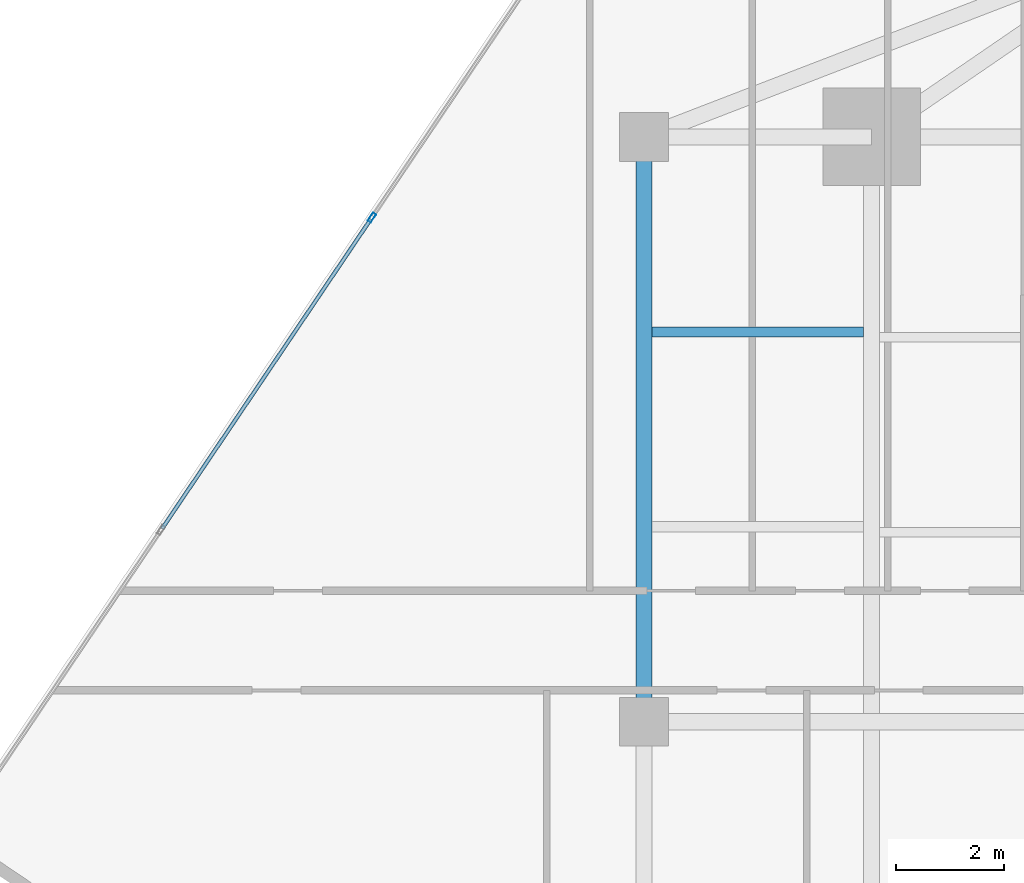
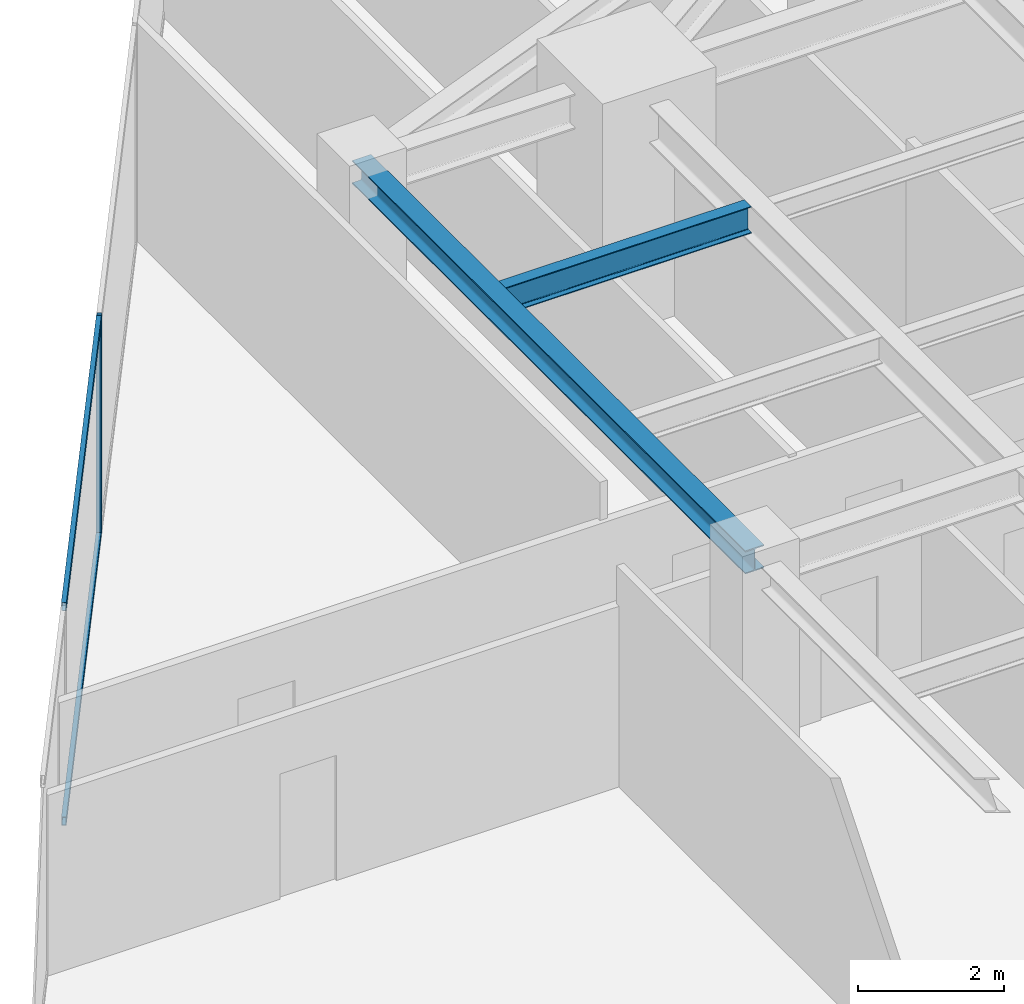
# One storey, part 13 of 27: 3 members, 2 beams, 1 element without a shape of its own.
"""IFC4 building model written with IfcOpenShell, lengths in metres."""

from ifc_helpers import new_model, si_unit, direction, frame, origin, origin_2d, place, context, subcontext, project, spatial, hollow_rectangle, i_section, extrude, source, transform, mapped, material, material_profile, profile_set, type_object, type_shapes, element, aggregate, save


model = new_model("IFC4")

# Units and contexts
model_context = context("Model", 3, precision=1e-05, world=origin(), true_north=direction((0.0, 1.0)))
body_context = subcontext(model_context, "Body", "Model", "MODEL_VIEW")
ifc_project = project(units=[si_unit("LENGTHUNIT", "METRE"), si_unit("AREAUNIT", "SQUARE_METRE"), si_unit("VOLUMEUNIT", "CUBIC_METRE"), si_unit("PLANEANGLEUNIT", "RADIAN"), si_unit("MASSUNIT", "GRAM", prefix="KILO")], contexts=[model_context])

# Site, building, storey
site_placement = place(None, origin())
site = spatial("IfcSite", under=ifc_project, at=site_placement, CompositionType="ELEMENT")
building_placement = place(site_placement, origin())
building = spatial("IfcBuilding", under=site, at=building_placement, Name="Krantzveldt Concourse Tower", CompositionType="ELEMENT")
storey_placement = place(building_placement, frame((0.0, 0.0, 189.64990234375)))
storey = spatial("IfcBuildingStorey", under=building, at=storey_placement, Name="L46", CompositionType="ELEMENT", Elevation=189.64990234375)

# Beams
ifc_material_1 = material(Name="Steel S355JR", Category="steel")
ifc_material_profile_1 = material_profile(ifc_material_1, i_section(OverallWidth=0.300048828125, OverallDepth=0.389892578125, WebThickness=0.010986328125, FlangeThickness=0.01904296875, FilletRadius=0.027099609375, at=origin_2d()), Name="Steel S355JR", Category="steel")
ifc_profile_set_1 = profile_set([ifc_material_profile_1], Name="Steel S355JR - HEA 400")
beam_type_1 = type_object("IfcBeamType", Name="BM-SP-HEA400", PredefinedType="SPANDREL", material=ifc_profile_set_1)
shared_shape_1 = source(origin(), body_context, "Body", "SweptSolid", [
    extrude(i_section(OverallWidth=0.300048828125, OverallDepth=0.389892578125, WebThickness=0.010986328125, FlangeThickness=0.01904296875, FilletRadius=0.027099609375, at=origin_2d()), origin(), (0.0, 0.0, 1.0), 10.800048828125),
])
type_shapes(beam_type_1, [shared_shape_1])
beam_1_placement = place(storey_placement, frame((21.0, 26.699951171875, 3.47509765625), z_axis=(0.0, 1.0, 0.0), x_axis=(-1.0, 0.0, 0.0)))
element("IfcBeam", 1, at=beam_1_placement, inside=storey, type_object=beam_type_1, Name="L46 Tower Girder SP-R02", PredefinedType="SPANDREL", context=body_context, shape_type="MappedRepresentation", body=[
    mapped(shared_shape_1, transform((0.0, 0.0, 0.0), x_axis=(1.0, 0.0, 0.0), y_axis=(0.0, 1.0, 0.0), z_axis=(0.0, 0.0, 1.0), scale=1.0)),
])
ifc_material_profile_2 = material_profile(ifc_material_1, i_section(OverallWidth=0.18994140625, OverallDepth=0.449951171875, WebThickness=0.009521484375, FlangeThickness=0.0146484375, FilletRadius=0.02099609375, at=origin_2d()), Name="Steel S355JR", Category="steel")
ifc_profile_set_2 = profile_set([ifc_material_profile_2], Name="Steel S355JR - IPE 450")
beam_type_2 = type_object("IfcBeamType", Name="BM-J-IPE450", PredefinedType="JOIST", material=ifc_profile_set_2)
shared_shape_2 = source(origin(), body_context, "Body", "SweptSolid", [
    extrude(i_section(OverallWidth=0.18994140625, OverallDepth=0.449951171875, WebThickness=0.009521484375, FlangeThickness=0.0146484375, FilletRadius=0.02099609375, at=origin_2d()), origin(), (0.0, 0.0, 1.0), 3.900146484375),
])
type_shapes(beam_type_2, [shared_shape_2])
beam_2_placement = place(storey_placement, frame((21.14990234375, 33.89990234375, 3.445068359375), z_axis=(1.0, 0.0, 0.0), x_axis=(0.0, 1.0, 0.0)))
element("IfcBeam", 2, at=beam_2_placement, inside=storey, type_object=beam_type_2, Name="L46 Secondary Floor Joist JW-4", PredefinedType="JOIST", context=body_context, shape_type="MappedRepresentation", body=[
    mapped(shared_shape_2, transform((0.0, 0.0, 0.0), x_axis=(1.0, 0.0, 0.0), y_axis=(0.0, 1.0, 0.0), z_axis=(0.0, 0.0, 1.0), scale=1.0)),
])

# Curtain wall, members
ifc_material_2 = material(Name="Anodised aluminium 6063-T6", Category="aluminium")
curtain_wall_type = type_object("IfcCurtainWallType", Name="CW3", PredefinedType="USERDEFINED", material=ifc_material_2)
curtain_wall_placement = place(storey_placement, origin())
curtain_wall = element("IfcCurtainWall", 3, at=curtain_wall_placement, inside=storey, type_object=curtain_wall_type, Name="CW-L46-F01", ObjectType="UNITISED CURTAIN WALL", PredefinedType="USERDEFINED")
ifc_material_profile_3 = material_profile(ifc_material_2, hollow_rectangle(XDim=0.070068359375, YDim=0.179931640625, WallThickness=0.0048828125, at=origin_2d()), Name="Anodised aluminium 6063-T6", Category="aluminium")
ifc_profile_set_3 = profile_set([ifc_material_profile_3], Name="Anodised aluminium 6063-T6 - ALU-MULL 180x70x5")
member_type_1 = type_object("IfcMemberType", Name="CW-MUL-180", PredefinedType="MULLION", material=ifc_profile_set_3)
shared_shape_3 = source(origin(), body_context, "Body", "SweptSolid", [
    extrude(hollow_rectangle(XDim=0.070068359375, YDim=0.179931640625, WallThickness=0.0048828125, at=origin_2d()), origin(), (0.0, 0.0, 1.0), 3.670166015625),
])
type_shapes(member_type_1, [shared_shape_3])
member_1_placement = place(storey_placement, frame((15.97265625, 36.010986328125, 0.0), z_axis=(0.0, 0.0, 1.0), x_axis=(0.829037635301, -0.559192810447, 0.0)))
member_1 = element("IfcMember", 4, at=member_1_placement, type_object=member_type_1, Name="CW-Z34 mullion 4", PredefinedType="MULLION", context=body_context, shape_type="MappedRepresentation", body=[
    mapped(shared_shape_3, transform((0.0, 0.0, 0.0), x_axis=(1.0, 0.0, 0.0), y_axis=(0.0, 1.0, 0.0), z_axis=(0.0, 0.0, 1.0), scale=1.0)),
])
ifc_material_profile_4 = material_profile(ifc_material_2, hollow_rectangle(XDim=0.070068359375, YDim=0.139892578125, WallThickness=0.0048828125, at=origin_2d()), Name="Anodised aluminium 6063-T6", Category="aluminium")
ifc_profile_set_4 = profile_set([ifc_material_profile_4], Name="Anodised aluminium 6063-T6 - ALU-TRAN 140x70x5")
member_type_2 = type_object("IfcMemberType", Name="CW-TRN-150", PredefinedType="USERDEFINED", material=ifc_profile_set_4)
shared_shape_4 = source(origin(), body_context, "Body", "SweptSolid", [
    extrude(hollow_rectangle(XDim=0.070068359375, YDim=0.139892578125, WallThickness=0.0048828125, at=origin_2d()), origin(), (0.0, 0.0, 1.0), 6.89013671875),
])
type_shapes(member_type_2, [shared_shape_4])
member_2_placement = place(storey_placement, frame((15.953125, 35.98193359375, 0.03515625), z_axis=(-0.559181316648, -0.829045387848, 0.0), x_axis=(0.829045387848, -0.559181316648, 0.0)))
member_2 = element("IfcMember", 5, at=member_2_placement, type_object=member_type_2, Name="CW-Z34 transom 4.1", ObjectType="TRANSOM", PredefinedType="USERDEFINED", context=body_context, shape_type="MappedRepresentation", body=[
    mapped(shared_shape_4, transform((0.0, 0.0, 0.0), x_axis=(1.0, 0.0, 0.0), y_axis=(0.0, 1.0, 0.0), z_axis=(0.0, 0.0, 1.0), scale=1.0)),
])
member_3_placement = place(storey_placement, frame((15.953125, 35.98193359375, 3.635009765625), z_axis=(-0.559181316648, -0.829045387848, 0.0), x_axis=(0.829045387848, -0.559181316648, 0.0)))
member_3 = element("IfcMember", 6, at=member_3_placement, type_object=member_type_2, Name="CW-Z34 transom 4.2", ObjectType="TRANSOM", PredefinedType="USERDEFINED", context=body_context, shape_type="MappedRepresentation", body=[
    mapped(shared_shape_4, transform((0.0, 0.0, 0.0), x_axis=(1.0, 0.0, 0.0), y_axis=(0.0, 1.0, 0.0), z_axis=(0.0, 0.0, 1.0), scale=1.0)),
])
aggregate(curtain_wall, [member_1, member_2, member_3])

save(model, "model.ifc")
